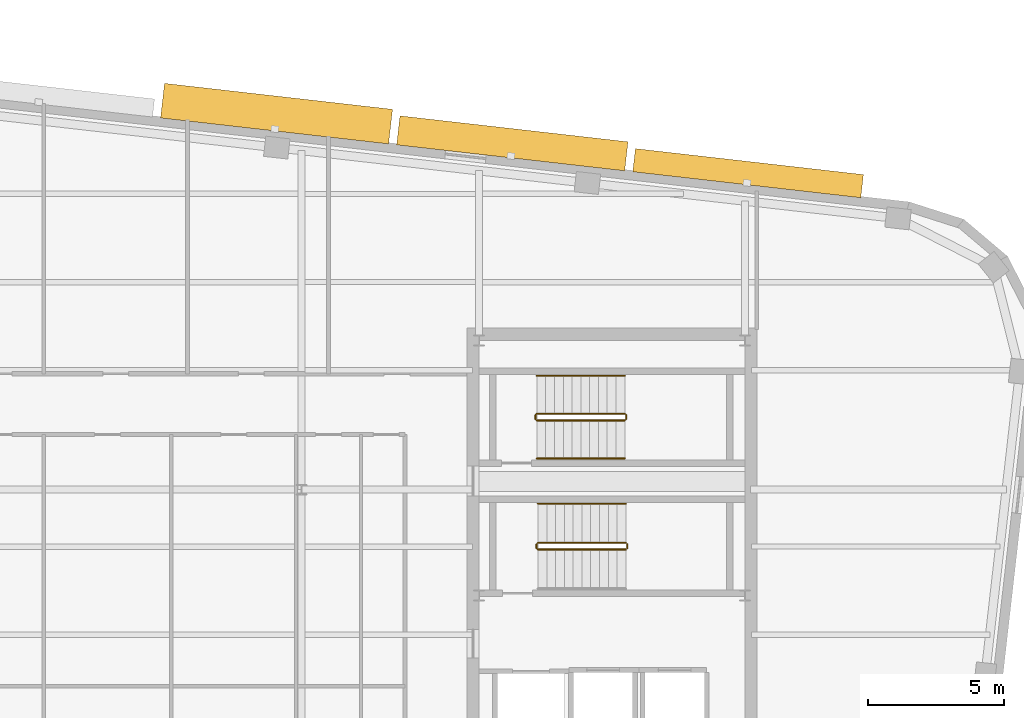
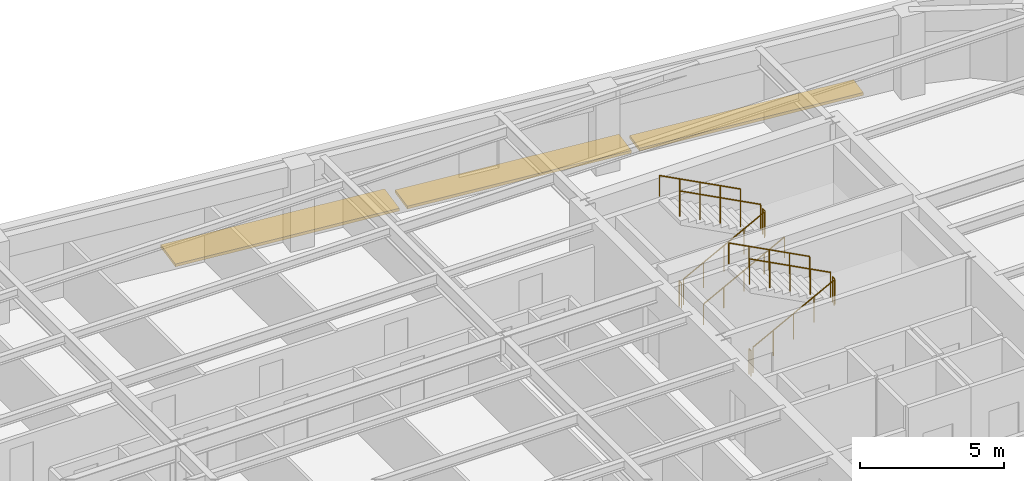
# One storey, part 13 of 13: 11 railings, 3 shading devices.
"""IFC4 building model written with IfcOpenShell, lengths in metres."""

from ifc_helpers import new_model, si_unit, direction, frame, origin, origin_2d, place, context, subcontext, project, spatial, rectangle, circle, extrude, material, type_object, element, save


model = new_model("IFC4")

# Units and contexts
model_context = context("Model", 3, precision=1e-05, world=origin(), true_north=direction((0.0, 1.0)))
body_context = subcontext(model_context, "Body", "Model", "MODEL_VIEW")
ifc_project = project(units=[si_unit("LENGTHUNIT", "METRE"), si_unit("AREAUNIT", "SQUARE_METRE"), si_unit("VOLUMEUNIT", "CUBIC_METRE"), si_unit("PLANEANGLEUNIT", "RADIAN"), si_unit("MASSUNIT", "GRAM", prefix="KILO")], contexts=[model_context])

# Site, building, storey
site_placement = place(None, origin())
site = spatial("IfcSite", under=ifc_project, at=site_placement, CompositionType="ELEMENT")
building_placement = place(site_placement, origin())
building = spatial("IfcBuilding", under=site, at=building_placement, Name="Kolvaren Arena Tower", CompositionType="ELEMENT")
storey_placement = place(building_placement, frame((0.0, 0.0, 232.199951171875)))
storey = spatial("IfcBuildingStorey", under=building, at=storey_placement, Name="L56", CompositionType="ELEMENT", Elevation=232.199951171875)

# Railings
ifc_material_1 = material(Name="Painted galvanized steel", Category="steel")
railing_type_1 = type_object("IfcRailingType", Name="GUARD-ST-110", PredefinedType="GUARDRAIL", material=ifc_material_1)
railing_1_placement = place(storey_placement, frame((52.719970703125, 31.639892578125, 0.17041015625)))
element("IfcRailing", 1, at=railing_1_placement, inside=storey, type_object=railing_type_1, Name="L56 ST-E1 stair guard 1", PredefinedType="GUARDRAIL", context=body_context, shape_type="SweptSolid", body=[
    extrude(circle(Radius=0.02392578125, at=origin_2d()), frame((0.0, 0.0, 1.076171875), z_axis=(0.884993431791, 0.0, 0.465603506952), x_axis=(0.0, 1.0, 0.0)), (0.0, 0.0, 1.0), 3.6611328125),
    extrude(circle(Radius=0.02099609375, at=origin_2d()), origin(), (0.0, 0.0, 1.0), 1.052001953125),
    extrude(circle(Radius=0.02099609375, at=origin_2d()), frame((0.81005859375, 0.0, 0.42626953125)), (0.0, 0.0, 1.0), 1.052001953125),
    extrude(circle(Radius=0.02099609375, at=origin_2d()), frame((1.6201171875, 0.0, 0.852294921875)), (0.0, 0.0, 1.0), 1.052001953125),
    extrude(circle(Radius=0.02099609375, at=origin_2d()), frame((2.429931640625, 0.0, 1.2783203125)), (0.0, 0.0, 1.0), 1.052001953125),
    extrude(circle(Radius=0.02099609375, at=origin_2d()), frame((3.239990234375, 0.0, 1.70458984375)), (0.0, 0.0, 1.0), 1.052001953125),
])
railing_2_placement = place(storey_placement, frame((56.010009765625, 31.68994140625, 1.875)))
element("IfcRailing", 2, at=railing_2_placement, inside=storey, type_object=railing_type_1, Name="L56 ST-E1 stair guard 2", PredefinedType="GUARDRAIL", context=body_context, shape_type="SweptSolid", body=[
    extrude(circle(Radius=0.02392578125, at=origin_2d()), frame((0.0, 0.0, 1.076171875), z_axis=(0.0, 1.0, 0.0), x_axis=(-1.0, 0.0, 0.0)), (0.0, 0.0, 1.0), 0.150146484375),
    extrude(circle(Radius=0.02099609375, at=origin_2d()), origin(), (0.0, 0.0, 1.0), 1.052001953125),
    extrude(circle(Radius=0.02099609375, at=origin_2d()), frame((0.0, 0.150146484375, 0.0)), (0.0, 0.0, 1.0), 1.052001953125),
])
railing_3_placement = place(storey_placement, frame((55.9599609375, 31.889892578125, 2.04541015625)))
element("IfcRailing", 3, at=railing_3_placement, inside=storey, type_object=railing_type_1, Name="L56 ST-E1 stair guard 3", PredefinedType="GUARDRAIL", context=body_context, shape_type="SweptSolid", body=[
    extrude(circle(Radius=0.02392578125, at=origin_2d()), frame((0.0, 0.0, 1.076171875), z_axis=(-0.884993431791, 0.0, 0.465603506952), x_axis=(0.0, -1.0, 0.0)), (0.0, 0.0, 1.0), 3.6611328125),
    extrude(circle(Radius=0.02099609375, at=origin_2d()), origin(), (0.0, 0.0, 1.0), 1.052001953125),
    extrude(circle(Radius=0.02099609375, at=origin_2d()), frame((-0.81005859375, 0.0, 0.42626953125)), (0.0, 0.0, 1.0), 1.052001953125),
    extrude(circle(Radius=0.02099609375, at=origin_2d()), frame((-1.6201171875, 0.0, 0.852294921875)), (0.0, 0.0, 1.0), 1.052001953125),
    extrude(circle(Radius=0.02099609375, at=origin_2d()), frame((-2.429931640625, 0.0, 1.2783203125)), (0.0, 0.0, 1.0), 1.052001953125),
    extrude(circle(Radius=0.02099609375, at=origin_2d()), frame((-3.239990234375, 0.0, 1.70458984375)), (0.0, 0.0, 1.0), 1.052001953125),
])
railing_4_placement = place(storey_placement, frame((52.669921875, 31.68994140625, 0.0)))
element("IfcRailing", 4, at=railing_4_placement, inside=storey, type_object=railing_type_1, Name="L56 ST-E1 stair guard 4", PredefinedType="GUARDRAIL", context=body_context, shape_type="SweptSolid", body=[
    extrude(circle(Radius=0.02392578125, at=origin_2d()), frame((0.0, 0.0, 1.076171875), z_axis=(0.0, 1.0, 0.0), x_axis=(-1.0, 0.0, 0.0)), (0.0, 0.0, 1.0), 0.150146484375),
    extrude(circle(Radius=0.02099609375, at=origin_2d()), origin(), (0.0, 0.0, 1.0), 1.052001953125),
    extrude(circle(Radius=0.02099609375, at=origin_2d()), frame((0.0, 0.150146484375, 0.0)), (0.0, 0.0, 1.0), 1.052001953125),
])
railing_5_placement = place(storey_placement, frame((52.679931640625, 36.39990234375, 0.17041015625)))
element("IfcRailing", 5, at=railing_5_placement, inside=storey, type_object=railing_type_1, Name="L56 ST-E2 stair guard 1", PredefinedType="GUARDRAIL", context=body_context, shape_type="SweptSolid", body=[
    extrude(circle(Radius=0.02392578125, at=origin_2d()), frame((0.0, 0.0, 1.076171875), z_axis=(0.884993431791, 0.0, 0.465603506952), x_axis=(0.0, 1.0, 0.0)), (0.0, 0.0, 1.0), 3.6611328125),
    extrude(circle(Radius=0.02099609375, at=origin_2d()), origin(), (0.0, 0.0, 1.0), 1.052001953125),
    extrude(circle(Radius=0.02099609375, at=origin_2d()), frame((0.81005859375, 0.0, 0.42626953125)), (0.0, 0.0, 1.0), 1.052001953125),
    extrude(circle(Radius=0.02099609375, at=origin_2d()), frame((1.6201171875, 0.0, 0.852294921875)), (0.0, 0.0, 1.0), 1.052001953125),
    extrude(circle(Radius=0.02099609375, at=origin_2d()), frame((2.429931640625, 0.0, 1.2783203125)), (0.0, 0.0, 1.0), 1.052001953125),
    extrude(circle(Radius=0.02099609375, at=origin_2d()), frame((3.239990234375, 0.0, 1.70458984375)), (0.0, 0.0, 1.0), 1.052001953125),
])
railing_6_placement = place(storey_placement, frame((55.969970703125, 36.449951171875, 1.875)))
element("IfcRailing", 6, at=railing_6_placement, inside=storey, type_object=railing_type_1, Name="L56 ST-E2 stair guard 2", PredefinedType="GUARDRAIL", context=body_context, shape_type="SweptSolid", body=[
    extrude(circle(Radius=0.02392578125, at=origin_2d()), frame((0.0, 0.0, 1.076171875), z_axis=(0.0, 1.0, 0.0), x_axis=(-1.0, 0.0, 0.0)), (0.0, 0.0, 1.0), 0.150146484375),
    extrude(circle(Radius=0.02099609375, at=origin_2d()), origin(), (0.0, 0.0, 1.0), 1.052001953125),
    extrude(circle(Radius=0.02099609375, at=origin_2d()), frame((0.0, 0.150146484375, 0.0)), (0.0, 0.0, 1.0), 1.052001953125),
])
railing_7_placement = place(storey_placement, frame((55.919921875, 36.64990234375, 2.04541015625)))
element("IfcRailing", 7, at=railing_7_placement, inside=storey, type_object=railing_type_1, Name="L56 ST-E2 stair guard 3", PredefinedType="GUARDRAIL", context=body_context, shape_type="SweptSolid", body=[
    extrude(circle(Radius=0.02392578125, at=origin_2d()), frame((0.0, 0.0, 1.076171875), z_axis=(-0.884993431791, 0.0, 0.465603506952), x_axis=(0.0, -1.0, 0.0)), (0.0, 0.0, 1.0), 3.6611328125),
    extrude(circle(Radius=0.02099609375, at=origin_2d()), origin(), (0.0, 0.0, 1.0), 1.052001953125),
    extrude(circle(Radius=0.02099609375, at=origin_2d()), frame((-0.81005859375, 0.0, 0.42626953125)), (0.0, 0.0, 1.0), 1.052001953125),
    extrude(circle(Radius=0.02099609375, at=origin_2d()), frame((-1.6201171875, 0.0, 0.852294921875)), (0.0, 0.0, 1.0), 1.052001953125),
    extrude(circle(Radius=0.02099609375, at=origin_2d()), frame((-2.429931640625, 0.0, 1.2783203125)), (0.0, 0.0, 1.0), 1.052001953125),
    extrude(circle(Radius=0.02099609375, at=origin_2d()), frame((-3.239990234375, 0.0, 1.70458984375)), (0.0, 0.0, 1.0), 1.052001953125),
])
railing_8_placement = place(storey_placement, frame((52.6298828125, 36.449951171875, 0.0)))
element("IfcRailing", 8, at=railing_8_placement, inside=storey, type_object=railing_type_1, Name="L56 ST-E2 stair guard 4", PredefinedType="GUARDRAIL", context=body_context, shape_type="SweptSolid", body=[
    extrude(circle(Radius=0.02392578125, at=origin_2d()), frame((0.0, 0.0, 1.076171875), z_axis=(0.0, 1.0, 0.0), x_axis=(-1.0, 0.0, 0.0)), (0.0, 0.0, 1.0), 0.150146484375),
    extrude(circle(Radius=0.02099609375, at=origin_2d()), origin(), (0.0, 0.0, 1.0), 1.052001953125),
    extrude(circle(Radius=0.02099609375, at=origin_2d()), frame((0.0, 0.150146484375, 0.0)), (0.0, 0.0, 1.0), 1.052001953125),
])
ifc_material_2 = material(Name="Brushed stainless steel handrail", Category="steel")
railing_type_2 = type_object("IfcRailingType", Name="HRAIL-900", PredefinedType="HANDRAIL", material=ifc_material_2)
railing_9_placement = place(storey_placement, frame((55.9599609375, 33.330078125, 2.04541015625)))
element("IfcRailing", 9, at=railing_9_placement, inside=storey, type_object=railing_type_2, Name="L56 ST-E1 stair handrail 2", PredefinedType="HANDRAIL", context=body_context, shape_type="SweptSolid", body=[
    extrude(circle(Radius=0.02392578125, at=origin_2d()), frame((0.0, 0.0, 0.8759765625), z_axis=(-0.884993431791, 0.0, 0.465603506952), x_axis=(0.0, -1.0, 0.0)), (0.0, 0.0, 1.0), 3.6611328125),
    extrude(circle(Radius=0.02099609375, at=origin_2d()), origin(), (0.0, 0.0, 1.0), 0.851806640625),
    extrude(circle(Radius=0.02099609375, at=origin_2d()), frame((-0.81005859375, 0.0, 0.42626953125)), (0.0, 0.0, 1.0), 0.851806640625),
    extrude(circle(Radius=0.02099609375, at=origin_2d()), frame((-1.6201171875, 0.0, 0.852294921875)), (0.0, 0.0, 1.0), 0.851806640625),
    extrude(circle(Radius=0.02099609375, at=origin_2d()), frame((-2.429931640625, 0.0, 1.2783203125)), (0.0, 0.0, 1.0), 0.851806640625),
    extrude(circle(Radius=0.02099609375, at=origin_2d()), frame((-3.239990234375, 0.0, 1.70458984375)), (0.0, 0.0, 1.0), 0.851806640625),
])
railing_10_placement = place(storey_placement, frame((52.679931640625, 35.0, 0.17041015625)))
element("IfcRailing", 10, at=railing_10_placement, inside=storey, type_object=railing_type_2, Name="L56 ST-E2 stair handrail 1", PredefinedType="HANDRAIL", context=body_context, shape_type="SweptSolid", body=[
    extrude(circle(Radius=0.02392578125, at=origin_2d()), frame((0.0, 0.0, 0.8759765625), z_axis=(0.884993431791, 0.0, 0.465603506952), x_axis=(0.0, 1.0, 0.0)), (0.0, 0.0, 1.0), 3.6611328125),
    extrude(circle(Radius=0.02099609375, at=origin_2d()), origin(), (0.0, 0.0, 1.0), 0.851806640625),
    extrude(circle(Radius=0.02099609375, at=origin_2d()), frame((0.81005859375, 0.0, 0.42626953125)), (0.0, 0.0, 1.0), 0.851806640625),
    extrude(circle(Radius=0.02099609375, at=origin_2d()), frame((1.6201171875, 0.0, 0.852294921875)), (0.0, 0.0, 1.0), 0.851806640625),
    extrude(circle(Radius=0.02099609375, at=origin_2d()), frame((2.429931640625, 0.0, 1.2783203125)), (0.0, 0.0, 1.0), 0.851806640625),
    extrude(circle(Radius=0.02099609375, at=origin_2d()), frame((3.239990234375, 0.0, 1.70458984375)), (0.0, 0.0, 1.0), 0.851806640625),
])
railing_11_placement = place(storey_placement, frame((55.919921875, 38.050048828125, 2.04541015625)))
element("IfcRailing", 11, at=railing_11_placement, inside=storey, type_object=railing_type_2, Name="L56 ST-E2 stair handrail 2", PredefinedType="HANDRAIL", context=body_context, shape_type="SweptSolid", body=[
    extrude(circle(Radius=0.02392578125, at=origin_2d()), frame((0.0, 0.0, 0.8759765625), z_axis=(-0.884993431791, 0.0, 0.465603506952), x_axis=(0.0, -1.0, 0.0)), (0.0, 0.0, 1.0), 3.6611328125),
    extrude(circle(Radius=0.02099609375, at=origin_2d()), origin(), (0.0, 0.0, 1.0), 0.851806640625),
    extrude(circle(Radius=0.02099609375, at=origin_2d()), frame((-0.81005859375, 0.0, 0.42626953125)), (0.0, 0.0, 1.0), 0.851806640625),
    extrude(circle(Radius=0.02099609375, at=origin_2d()), frame((-1.6201171875, 0.0, 0.852294921875)), (0.0, 0.0, 1.0), 0.851806640625),
    extrude(circle(Radius=0.02099609375, at=origin_2d()), frame((-2.429931640625, 0.0, 1.2783203125)), (0.0, 0.0, 1.0), 0.851806640625),
    extrude(circle(Radius=0.02099609375, at=origin_2d()), frame((-3.239990234375, 0.0, 1.70458984375)), (0.0, 0.0, 1.0), 0.851806640625),
])

# Shading devices
ifc_material_3 = material(Name="Architectural precast GFRC and anodised aluminium sunshade", Category="concrete")
shading_device_type_1 = type_object("IfcShadingDeviceType", Name="SHAD-SINE-A", PredefinedType="USERDEFINED", material=ifc_material_3)
shading_device_1_placement = place(storey_placement, frame((51.77392578125, 46.615478515625, -0.139892578125), z_axis=(0.0, 0.0, 1.0), x_axis=(0.993571658098, -0.113204947878, 0.0)))
element("IfcShadingDevice", 12, at=shading_device_1_placement, inside=storey, type_object=shading_device_type_1, Name="Sinusoidal Slab-Edge Sunshade Louvre (L56)", ObjectType="LOUVRE", PredefinedType="USERDEFINED", context=body_context, shape_type="SweptSolid", body=[
    extrude(rectangle(XDim=8.4599609375, YDim=1.077880859375, at=origin_2d()), origin(), (0.0, 0.0, 1.0), 0.1201171875),
])
shading_device_2_placement = place(storey_placement, frame((60.46533203125, 45.51513671875, -0.139892578125), z_axis=(0.0, 0.0, 1.0), x_axis=(0.993571658098, -0.113204947878, 0.0)))
element("IfcShadingDevice", 13, at=shading_device_2_placement, inside=storey, type_object=shading_device_type_1, Name="Sinusoidal Slab-Edge Sunshade Louvre (L56)", ObjectType="LOUVRE", PredefinedType="USERDEFINED", context=body_context, shape_type="SweptSolid", body=[
    extrude(rectangle(XDim=8.4599609375, YDim=0.859130859375, at=origin_2d()), origin(), (0.0, 0.0, 1.0), 0.1201171875),
])
shading_device_type_2 = type_object("IfcShadingDeviceType", Name="SHAD-SINE-B", PredefinedType="JALOUSIE", material=ifc_material_3)
shading_device_3_placement = place(storey_placement, frame((43.08203125, 47.710205078125, -0.139892578125), z_axis=(0.0, 0.0, 1.0), x_axis=(0.993571658098, -0.113204947878, 0.0)))
element("IfcShadingDevice", 14, at=shading_device_3_placement, inside=storey, type_object=shading_device_type_2, Name="Sinusoidal Slab-Edge Sunshade Louvre (L56)", PredefinedType="JALOUSIE", context=body_context, shape_type="SweptSolid", body=[
    extrude(rectangle(XDim=8.4599609375, YDim=1.285400390625, at=origin_2d()), origin(), (0.0, 0.0, 1.0), 0.1201171875),
])

save(model, "model.ifc")
